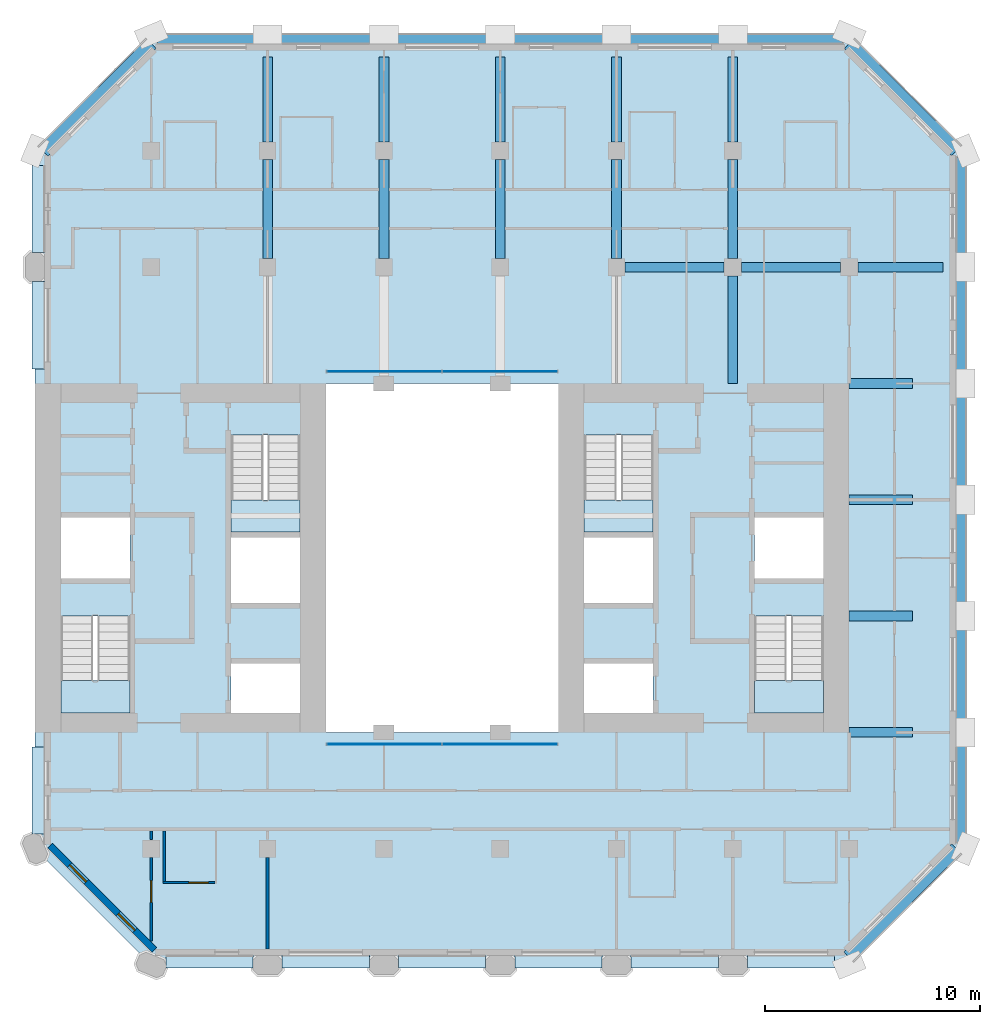
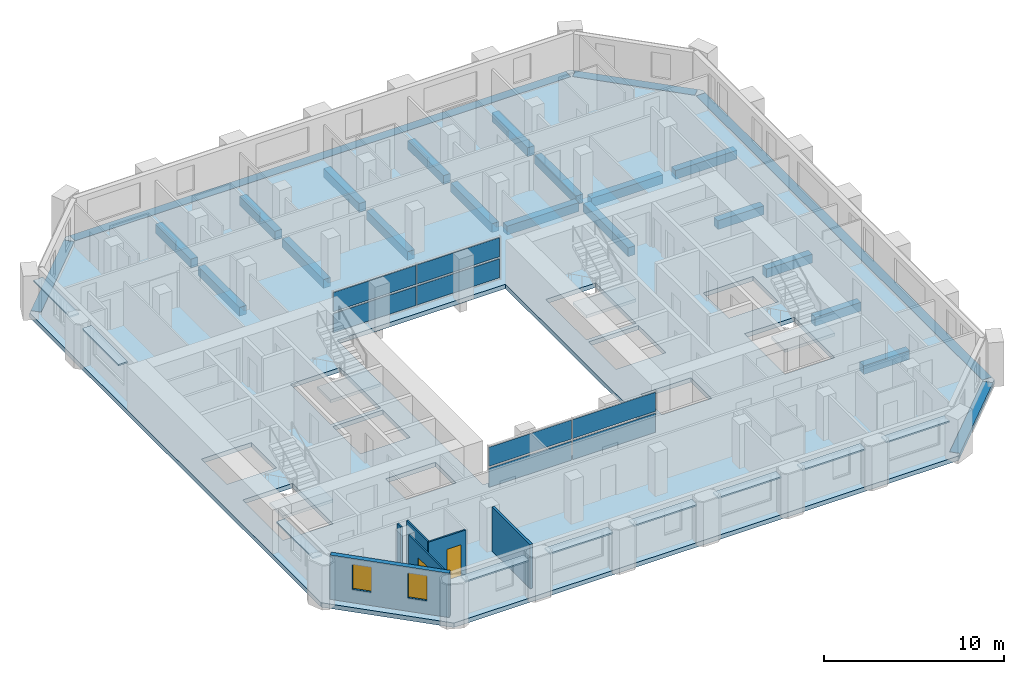
# One storey, part 3 of 12: 23 beams, 17 plates, 6 walls, 5 slabs, 2 doors, 2 windows, 4 openings, 6 elements without a shape of their own.
"""IFC4 building model written with IfcOpenShell, lengths in metres."""

from ifc_helpers import new_model, si_unit, direction, frame, frame_2d, origin, origin_2d, place, context, subcontext, project, spatial, polyline, rectangle, outline, extrude, material, layer, layer_set, material_profile, profile_set, type_object, element, fill, aggregate, save


model = new_model("IFC4")

# Units and contexts
model_context = context("Model", 3, precision=1e-05, world=origin(), true_north=direction((0.0, 1.0)))
body_context = subcontext(model_context, "Body", "Model", "MODEL_VIEW")
ifc_project = project(units=[si_unit("LENGTHUNIT", "METRE"), si_unit("AREAUNIT", "SQUARE_METRE"), si_unit("VOLUMEUNIT", "CUBIC_METRE"), si_unit("PLANEANGLEUNIT", "RADIAN"), si_unit("MASSUNIT", "GRAM", prefix="KILO")], contexts=[model_context])

# Site, building, storey
site_placement = place(None, origin())
site = spatial("IfcSite", under=ifc_project, at=site_placement, CompositionType="ELEMENT")
building_placement = place(site_placement, origin())
building = spatial("IfcBuilding", under=site, at=building_placement, Name="Tabaq Tower and Sports Hall", CompositionType="ELEMENT")
storey_placement = place(building_placement, frame((0.0, 0.0, 190.60009765625)))
storey = spatial("IfcBuildingStorey", under=building, at=storey_placement, Name="L46", CompositionType="ELEMENT", Elevation=190.60009765625)

# Beams
ifc_material_1 = material(Name="Concrete C40/50", Category="concrete")
ifc_material_profile_1 = material_profile(ifc_material_1, rectangle(XDim=0.449951171875, YDim=0.60009765625, at=origin_2d()), Name="CB 450x600")
ifc_profile_set_1 = profile_set([ifc_material_profile_1], Name="Concrete C40/50")
beam_type_1 = type_object("IfcBeamType", Name="PT CANTILEVER BEAM CB 450x600 C40/50", PredefinedType="BEAM", material=ifc_profile_set_1)
for number, where, z_axis, x_axis, name in (
    (1, (46.14990234375, 16.199951171875, -0.60009765625), (-1.0, 0.0, 0.0), (0.0, -1.0, 0.0), "Cantilever Beam L46 E3 span 1"),
    (2, (46.14990234375, 21.60009765625, -0.60009765625), (-1.0, 0.0, 0.0), (0.0, -1.0, 0.0), "Cantilever Beam L46 E4 span 1"),
    (3, (46.14990234375, 27.0, -0.60009765625), (-1.0, 0.0, 0.0), (0.0, -1.0, 0.0), "Cantilever Beam L46 E5 span 1"),
    (4, (46.14990234375, 32.39990234375, -0.60009765625), (-1.0, 0.0, 0.0), (0.0, -1.0, 0.0), "Cantilever Beam L46 E6 span 1"),
):
    element("IfcBeam", number, at=place(storey_placement, frame(where, z_axis=z_axis, x_axis=x_axis)), inside=storey, type_object=beam_type_1, Name=name, PredefinedType="BEAM", context=body_context, shape_type="SweptSolid", body=[
        extrude(rectangle(XDim=0.449951171875, YDim=0.60009765625, at=origin_2d()), origin(), (0.0, 0.0, 1.0), 2.949951171875),
    ])
beam_1_placement = place(storey_placement, frame((47.550048828125, 37.800048828125, -0.60009765625), z_axis=(-1.0, 0.0, 0.0), x_axis=(0.0, -1.0, 0.0)))
element("IfcBeam", 5, at=beam_1_placement, inside=storey, type_object=beam_type_1, Name="Cantilever Beam L46 E7 span 1", PredefinedType="BEAM", context=body_context, shape_type="SweptSolid", body=[
    extrude(rectangle(XDim=0.449951171875, YDim=0.60009765625, at=origin_2d()), origin(), (0.0, 0.0, 1.0), 3.949951171875),
])
beam_2_placement = place(storey_placement, frame((42.800048828125, 37.800048828125, -0.60009765625), z_axis=(-1.0, 0.0, 0.0), x_axis=(0.0, -1.0, 0.0)))
element("IfcBeam", 6, at=beam_2_placement, inside=storey, type_object=beam_type_1, Name="Cantilever Beam L46 E7 span 2", PredefinedType="BEAM", context=body_context, shape_type="SweptSolid", body=[
    extrude(rectangle(XDim=0.449951171875, YDim=0.60009765625, at=origin_2d()), origin(), (0.0, 0.0, 1.0), 4.60009765625),
])
beam_3_placement = place(storey_placement, frame((37.39990234375, 37.800048828125, -0.60009765625), z_axis=(-1.0, 0.0, 0.0), x_axis=(0.0, -1.0, 0.0)))
element("IfcBeam", 7, at=beam_3_placement, inside=storey, type_object=beam_type_1, Name="Cantilever Beam L46 E7 span 3", PredefinedType="BEAM", context=body_context, shape_type="SweptSolid", body=[
    extrude(rectangle(XDim=0.449951171875, YDim=0.60009765625, at=origin_2d()), origin(), (0.0, 0.0, 1.0), 4.599853515625),
])
beam_4_placement = place(storey_placement, frame((16.199951171875, 47.550048828125, -0.60009765625), z_axis=(0.0, -1.0, 0.0), x_axis=(1.0, 0.0, 0.0)))
element("IfcBeam", 8, at=beam_4_placement, inside=storey, type_object=beam_type_1, Name="Cantilever Beam L46 N3 span 1", PredefinedType="BEAM", context=body_context, shape_type="SweptSolid", body=[
    extrude(rectangle(XDim=0.449951171875, YDim=0.60009765625, at=origin_2d()), origin(), (0.0, 0.0, 1.0), 3.949951171875),
])
beam_5_placement = place(storey_placement, frame((16.199951171875, 42.800048828125, -0.60009765625), z_axis=(0.0, -1.0, 0.0), x_axis=(1.0, 0.0, 0.0)))
element("IfcBeam", 9, at=beam_5_placement, inside=storey, type_object=beam_type_1, Name="Cantilever Beam L46 N3 span 2", PredefinedType="BEAM", context=body_context, shape_type="SweptSolid", body=[
    extrude(rectangle(XDim=0.449951171875, YDim=0.60009765625, at=origin_2d()), origin(), (0.0, 0.0, 1.0), 4.60009765625),
])
beam_6_placement = place(storey_placement, frame((21.60009765625, 47.550048828125, -0.60009765625), z_axis=(0.0, -1.0, 0.0), x_axis=(1.0, 0.0, 0.0)))
element("IfcBeam", 10, at=beam_6_placement, inside=storey, type_object=beam_type_1, Name="Cantilever Beam L46 N4 span 1", PredefinedType="BEAM", context=body_context, shape_type="SweptSolid", body=[
    extrude(rectangle(XDim=0.449951171875, YDim=0.60009765625, at=origin_2d()), origin(), (0.0, 0.0, 1.0), 3.949951171875),
])
beam_7_placement = place(storey_placement, frame((21.60009765625, 42.800048828125, -0.60009765625), z_axis=(0.0, -1.0, 0.0), x_axis=(1.0, 0.0, 0.0)))
element("IfcBeam", 11, at=beam_7_placement, inside=storey, type_object=beam_type_1, Name="Cantilever Beam L46 N4 span 2", PredefinedType="BEAM", context=body_context, shape_type="SweptSolid", body=[
    extrude(rectangle(XDim=0.449951171875, YDim=0.60009765625, at=origin_2d()), origin(), (0.0, 0.0, 1.0), 4.60009765625),
])
beam_8_placement = place(storey_placement, frame((27.0, 47.550048828125, -0.60009765625), z_axis=(0.0, -1.0, 0.0), x_axis=(1.0, 0.0, 0.0)))
element("IfcBeam", 12, at=beam_8_placement, inside=storey, type_object=beam_type_1, Name="Cantilever Beam L46 N5 span 1", PredefinedType="BEAM", context=body_context, shape_type="SweptSolid", body=[
    extrude(rectangle(XDim=0.449951171875, YDim=0.60009765625, at=origin_2d()), origin(), (0.0, 0.0, 1.0), 3.949951171875),
])
beam_9_placement = place(storey_placement, frame((27.0, 42.800048828125, -0.60009765625), z_axis=(0.0, -1.0, 0.0), x_axis=(1.0, 0.0, 0.0)))
element("IfcBeam", 13, at=beam_9_placement, inside=storey, type_object=beam_type_1, Name="Cantilever Beam L46 N5 span 2", PredefinedType="BEAM", context=body_context, shape_type="SweptSolid", body=[
    extrude(rectangle(XDim=0.449951171875, YDim=0.60009765625, at=origin_2d()), origin(), (0.0, 0.0, 1.0), 4.60009765625),
])
beam_10_placement = place(storey_placement, frame((32.39990234375, 47.550048828125, -0.60009765625), z_axis=(0.0, -1.0, 0.0), x_axis=(1.0, 0.0, 0.0)))
element("IfcBeam", 14, at=beam_10_placement, inside=storey, type_object=beam_type_1, Name="Cantilever Beam L46 N6 span 1", PredefinedType="BEAM", context=body_context, shape_type="SweptSolid", body=[
    extrude(rectangle(XDim=0.449951171875, YDim=0.60009765625, at=origin_2d()), origin(), (0.0, 0.0, 1.0), 3.949951171875),
])
beam_11_placement = place(storey_placement, frame((32.39990234375, 42.800048828125, -0.60009765625), z_axis=(0.0, -1.0, 0.0), x_axis=(1.0, 0.0, 0.0)))
element("IfcBeam", 15, at=beam_11_placement, inside=storey, type_object=beam_type_1, Name="Cantilever Beam L46 N6 span 2", PredefinedType="BEAM", context=body_context, shape_type="SweptSolid", body=[
    extrude(rectangle(XDim=0.449951171875, YDim=0.60009765625, at=origin_2d()), origin(), (0.0, 0.0, 1.0), 4.60009765625),
])
beam_12_placement = place(storey_placement, frame((37.800048828125, 47.550048828125, -0.60009765625), z_axis=(0.0, -1.0, 0.0), x_axis=(1.0, 0.0, 0.0)))
element("IfcBeam", 16, at=beam_12_placement, inside=storey, type_object=beam_type_1, Name="Cantilever Beam L46 N7 span 1", PredefinedType="BEAM", context=body_context, shape_type="SweptSolid", body=[
    extrude(rectangle(XDim=0.449951171875, YDim=0.60009765625, at=origin_2d()), origin(), (0.0, 0.0, 1.0), 3.949951171875),
])
beam_13_placement = place(storey_placement, frame((37.800048828125, 42.800048828125, -0.60009765625), z_axis=(0.0, -1.0, 0.0), x_axis=(1.0, 0.0, 0.0)))
element("IfcBeam", 17, at=beam_13_placement, inside=storey, type_object=beam_type_1, Name="Cantilever Beam L46 N7 span 2", PredefinedType="BEAM", context=body_context, shape_type="SweptSolid", body=[
    extrude(rectangle(XDim=0.449951171875, YDim=0.60009765625, at=origin_2d()), origin(), (0.0, 0.0, 1.0), 4.60009765625),
])
beam_14_placement = place(storey_placement, frame((37.800048828125, 37.39990234375, -0.60009765625), z_axis=(0.0, -1.0, 0.0), x_axis=(1.0, 0.0, 0.0)))
element("IfcBeam", 18, at=beam_14_placement, inside=storey, type_object=beam_type_1, Name="Cantilever Beam L46 N7 span 3", PredefinedType="BEAM", context=body_context, shape_type="SweptSolid", body=[
    extrude(rectangle(XDim=0.449951171875, YDim=0.60009765625, at=origin_2d()), origin(), (0.0, 0.0, 1.0), 5.0),
])
ifc_material_2 = material(Name="Concrete C40/50", Category="concrete")
ifc_material_profile_2 = material_profile(ifc_material_2, rectangle(XDim=0.60009765625, YDim=0.300048828125, at=origin_2d()), Name="EB 600x300")
ifc_profile_set_2 = profile_set([ifc_material_profile_2], Name="Concrete C40/50")
beam_type_2 = type_object("IfcBeamType", Name="PT EDGE BEAM EB 600x300 C40/50", PredefinedType="SPANDREL", material=ifc_profile_set_2)
beam_15_placement = place(storey_placement, frame((43.16455078125, 5.788818359375, -0.150146484375), z_axis=(0.707106781187, 0.707106781187, 0.0), x_axis=(-0.707106781187, 0.707106781187, 0.0)))
element("IfcBeam", 19, at=beam_15_placement, inside=storey, type_object=beam_type_2, Name="Edge Beam L46 1", PredefinedType="SPANDREL", context=body_context, shape_type="SweptSolid", body=[
    extrude(rectangle(XDim=0.60009765625, YDim=0.300048828125, at=origin_2d()), origin(), (0.0, 0.0, 1.0), 7.08837890625),
])
beam_16_placement = place(storey_placement, frame((48.300048828125, 11.0986328125, -0.150146484375), z_axis=(0.0, 1.0, 0.0), x_axis=(-1.0, 0.0, 0.0)))
element("IfcBeam", 20, at=beam_16_placement, inside=storey, type_object=beam_type_2, Name="Edge Beam L46 2", PredefinedType="SPANDREL", context=body_context, shape_type="SweptSolid", body=[
    extrude(rectangle(XDim=0.60009765625, YDim=0.300048828125, at=origin_2d()), origin(), (0.0, 0.0, 1.0), 31.802734375),
])
beam_17_placement = place(storey_placement, frame((48.1767578125, 43.198974609375, -0.150146484375), z_axis=(-0.707106781187, 0.707106781187, 0.0), x_axis=(-0.707106781187, -0.707106781187, 0.0)))
element("IfcBeam", 21, at=beam_17_placement, inside=storey, type_object=beam_type_2, Name="Edge Beam L46 3", PredefinedType="SPANDREL", context=body_context, shape_type="SweptSolid", body=[
    extrude(rectangle(XDim=0.60009765625, YDim=0.300048828125, at=origin_2d()), origin(), (0.0, 0.0, 1.0), 7.03955078125),
])
beam_18_placement = place(storey_placement, frame((42.9013671875, 48.300048828125, -0.150146484375), z_axis=(-1.0, 0.0, 0.0), x_axis=(0.0, -1.0, 0.0)))
element("IfcBeam", 22, at=beam_18_placement, inside=storey, type_object=beam_type_2, Name="Edge Beam L46 4", PredefinedType="SPANDREL", context=body_context, shape_type="SweptSolid", body=[
    extrude(rectangle(XDim=0.60009765625, YDim=0.300048828125, at=origin_2d()), origin(), (0.0, 0.0, 1.0), 31.802734375),
])
beam_19_placement = place(storey_placement, frame((10.801025390625, 48.1767578125, -0.150146484375), z_axis=(-0.707106781187, -0.707106781187, 0.0), x_axis=(0.707106781187, -0.707106781187, 0.0)))
element("IfcBeam", 23, at=beam_19_placement, inside=storey, type_object=beam_type_2, Name="Edge Beam L46 5", PredefinedType="SPANDREL", context=body_context, shape_type="SweptSolid", body=[
    extrude(rectangle(XDim=0.60009765625, YDim=0.300048828125, at=origin_2d()), origin(), (0.0, 0.0, 1.0), 7.08837890625),
])

# Curtain wall, plates
ifc_material_3 = material(Name="Aluminium alloy 6063-T6 framed glazing", Category="aluminium")
curtain_wall_type = type_object("IfcCurtainWallType", Name="CW1 curtain wall", PredefinedType="USERDEFINED", material=ifc_material_3)
curtain_wall_1_placement = place(storey_placement, origin())
curtain_wall_1 = element("IfcCurtainWall", 24, at=curtain_wall_1_placement, inside=storey, type_object=curtain_wall_type, Name="Atrium glazing L46 S", ObjectType="ATRIUM ENCLOSURE", PredefinedType="USERDEFINED")
ifc_material_4 = material(Name="Clear low-emissivity glass 28 mm", Category="glass")
ifc_layer_1 = layer(ifc_material_4, 0.028076171875)
ifc_layer_set_1 = layer_set([ifc_layer_1], Name="CW1 glass panel 28")
plate_type_1 = type_object("IfcPlateType", Name="CW1 glass panel 28", PredefinedType="CURTAIN_PANEL", material=ifc_layer_set_1)
plate_1_placement = place(storey_placement, frame((21.614990234375, 15.64990234375, 0.139892578125), z_axis=(0.0, 0.0, 1.0), x_axis=(1.0, 0.0, 0.0)))
plate_1 = element("IfcPlate", 25, at=plate_1_placement, type_object=plate_type_1, Name="CW1 panel 1.1", PredefinedType="CURTAIN_PANEL", context=body_context, shape_type="SweptSolid", body=[
    extrude(rectangle(XDim=5.31005859375, YDim=0.028076171875, at=origin_2d()), origin(), (0.0, 0.0, 1.0), 1.2900390625),
])
plate_2_placement = place(storey_placement, frame((21.614990234375, 15.64990234375, 1.56982421875), z_axis=(0.0, 0.0, 1.0), x_axis=(1.0, 0.0, 0.0)))
plate_2 = element("IfcPlate", 26, at=plate_2_placement, type_object=plate_type_1, Name="CW1 panel 1.2", PredefinedType="CURTAIN_PANEL", context=body_context, shape_type="SweptSolid", body=[
    extrude(rectangle(XDim=5.31005859375, YDim=0.028076171875, at=origin_2d()), origin(), (0.0, 0.0, 1.0), 1.2900390625),
])
plate_3_placement = place(storey_placement, frame((26.985107421875, 15.64990234375, 0.139892578125), z_axis=(0.0, 0.0, 1.0), x_axis=(1.0, 0.0, 0.0)))
plate_3 = element("IfcPlate", 27, at=plate_3_placement, type_object=plate_type_1, Name="CW1 panel 2.1", PredefinedType="CURTAIN_PANEL", context=body_context, shape_type="SweptSolid", body=[
    extrude(rectangle(XDim=5.31005859375, YDim=0.028076171875, at=origin_2d()), origin(), (0.0, 0.0, 1.0), 1.2900390625),
])
plate_4_placement = place(storey_placement, frame((26.985107421875, 15.64990234375, 1.56982421875), z_axis=(0.0, 0.0, 1.0), x_axis=(1.0, 0.0, 0.0)))
plate_4 = element("IfcPlate", 28, at=plate_4_placement, type_object=plate_type_1, Name="CW1 panel 2.2", PredefinedType="CURTAIN_PANEL", context=body_context, shape_type="SweptSolid", body=[
    extrude(rectangle(XDim=5.31005859375, YDim=0.028076171875, at=origin_2d()), origin(), (0.0, 0.0, 1.0), 1.2900390625),
])
aggregate(curtain_wall_1, [plate_1, plate_2, plate_3, plate_4])

curtain_wall_2_placement = place(storey_placement, origin())
curtain_wall_2 = element("IfcCurtainWall", 29, at=curtain_wall_2_placement, inside=storey, type_object=curtain_wall_type, Name="Atrium glazing L46 N", ObjectType="ATRIUM ENCLOSURE", PredefinedType="USERDEFINED")
plate_5_placement = place(storey_placement, frame((21.614990234375, 32.949951171875, 0.139892578125), z_axis=(0.0, 0.0, 1.0), x_axis=(1.0, 0.0, 0.0)))
plate_5 = element("IfcPlate", 30, at=plate_5_placement, type_object=plate_type_1, Name="CW1 panel 1.1", PredefinedType="CURTAIN_PANEL", context=body_context, shape_type="SweptSolid", body=[
    extrude(rectangle(XDim=5.31005859375, YDim=0.028076171875, at=origin_2d()), origin(), (0.0, 0.0, 1.0), 1.2900390625),
])
plate_6_placement = place(storey_placement, frame((21.614990234375, 32.949951171875, 1.56982421875), z_axis=(0.0, 0.0, 1.0), x_axis=(1.0, 0.0, 0.0)))
plate_6 = element("IfcPlate", 31, at=plate_6_placement, type_object=plate_type_1, Name="CW1 panel 1.2", PredefinedType="CURTAIN_PANEL", context=body_context, shape_type="SweptSolid", body=[
    extrude(rectangle(XDim=5.31005859375, YDim=0.028076171875, at=origin_2d()), origin(), (0.0, 0.0, 1.0), 1.2900390625),
])
plate_7_placement = place(storey_placement, frame((26.985107421875, 32.949951171875, 0.139892578125), z_axis=(0.0, 0.0, 1.0), x_axis=(1.0, 0.0, 0.0)))
plate_7 = element("IfcPlate", 32, at=plate_7_placement, type_object=plate_type_1, Name="CW1 panel 2.1", PredefinedType="CURTAIN_PANEL", context=body_context, shape_type="SweptSolid", body=[
    extrude(rectangle(XDim=5.31005859375, YDim=0.028076171875, at=origin_2d()), origin(), (0.0, 0.0, 1.0), 1.2900390625),
])
plate_8_placement = place(storey_placement, frame((26.985107421875, 32.949951171875, 1.56982421875), z_axis=(0.0, 0.0, 1.0), x_axis=(1.0, 0.0, 0.0)))
plate_8 = element("IfcPlate", 33, at=plate_8_placement, type_object=plate_type_1, Name="CW1 panel 2.2", PredefinedType="CURTAIN_PANEL", context=body_context, shape_type="SweptSolid", body=[
    extrude(rectangle(XDim=5.31005859375, YDim=0.028076171875, at=origin_2d()), origin(), (0.0, 0.0, 1.0), 1.2900390625),
])
aggregate(curtain_wall_2, [plate_5, plate_6, plate_7, plate_8])

# Stair, slab
ifc_material_5 = material(Name="Concrete C40/50", Category="concrete")
stair_type = type_object("IfcStairType", Name="Exit stair", PredefinedType="HALF_TURN_STAIR", material=ifc_material_5)
stair_1_placement = place(storey_placement, origin())
stair_1 = element("IfcStair", 34, at=stair_1_placement, inside=storey, type_object=stair_type, Name="L46 Exit stair ST1", PredefinedType="HALF_TURN_STAIR")
ifc_material_6 = material(Name="Concrete C40/50", Category="concrete")
ifc_layer_2 = layer(ifc_material_6, 0.199951171875)
ifc_layer_set_2 = layer_set([ifc_layer_2], Name="Exit stair landing")
slab_type_1 = type_object("IfcSlabType", Name="Exit stair landing", PredefinedType="LANDING", material=ifc_layer_set_2)
slab_1_placement = place(storey_placement, frame((0.0, 0.0, 1.449951171875)))
slab_1 = element("IfcSlab", 35, at=slab_1_placement, type_object=slab_type_1, Name="ST1 landing 1", PredefinedType="LANDING", context=body_context, shape_type="SweptSolid", body=[
    extrude(outline(polyline([(6.60009765625, 18.60009765625), (6.60009765625, 17.10009765625), (9.800048828125, 17.10009765625), (9.800048828125, 18.60009765625), (6.60009765625, 18.60009765625)])), origin(), (0.0, 0.0, 1.0), 0.199951171875),
])
aggregate(stair_1, [slab_1])

stair_2_placement = place(storey_placement, origin())
stair_2 = element("IfcStair", 36, at=stair_2_placement, inside=storey, type_object=stair_type, Name="L46 Exit stair ST2", PredefinedType="HALF_TURN_STAIR")
slab_2_placement = place(storey_placement, frame((0.0, 0.0, 1.449951171875)))
slab_2 = element("IfcSlab", 37, at=slab_2_placement, type_object=slab_type_1, Name="ST2 landing 1", PredefinedType="LANDING", context=body_context, shape_type="SweptSolid", body=[
    extrude(outline(polyline([(14.5, 27.0), (14.5, 25.5), (17.699951171875, 25.5), (17.699951171875, 27.0), (14.5, 27.0)])), origin(), (0.0, 0.0, 1.0), 0.199951171875),
])
aggregate(stair_2, [slab_2])

stair_3_placement = place(storey_placement, origin())
stair_3 = element("IfcStair", 38, at=stair_3_placement, inside=storey, type_object=stair_type, Name="L46 Exit stair ST3", PredefinedType="HALF_TURN_STAIR")
slab_3_placement = place(storey_placement, frame((0.0, 0.0, 1.449951171875)))
slab_3 = element("IfcSlab", 39, at=slab_3_placement, type_object=slab_type_1, Name="ST3 landing 1", PredefinedType="LANDING", context=body_context, shape_type="SweptSolid", body=[
    extrude(outline(polyline([(38.800048828125, 18.60009765625), (38.800048828125, 17.10009765625), (42.0, 17.10009765625), (42.0, 18.60009765625), (38.800048828125, 18.60009765625)])), origin(), (0.0, 0.0, 1.0), 0.199951171875),
])
aggregate(stair_3, [slab_3])

stair_4_placement = place(storey_placement, origin())
stair_4 = element("IfcStair", 40, at=stair_4_placement, inside=storey, type_object=stair_type, Name="L46 Exit stair ST4", PredefinedType="HALF_TURN_STAIR")
slab_4_placement = place(storey_placement, frame((0.0, 0.0, 1.449951171875)))
slab_4 = element("IfcSlab", 41, at=slab_4_placement, type_object=slab_type_1, Name="ST4 landing 1", PredefinedType="LANDING", context=body_context, shape_type="SweptSolid", body=[
    extrude(outline(polyline([(30.89990234375, 27.0), (30.89990234375, 25.5), (34.10009765625, 25.5), (34.10009765625, 27.0), (30.89990234375, 27.0)])), origin(), (0.0, 0.0, 1.0), 0.199951171875),
])
aggregate(stair_4, [slab_4])

# Slab
ifc_material_7 = material(Name="Concrete C40/50", Category="concrete")
ifc_layer_3 = layer(ifc_material_7, 0.300048828125)
ifc_layer_set_3 = layer_set([ifc_layer_3], Name="PT FLOOR SLAB 300 C40/50")
slab_type_2 = type_object("IfcSlabType", Name="PT FLOOR SLAB 300 C40/50", PredefinedType="FLOOR", material=ifc_layer_set_3)
slab_5_placement = place(storey_placement, frame((0.0, 0.0, -0.300048828125)))
element("IfcSlab", 42, at=slab_5_placement, inside=storey, type_object=slab_type_2, Name="Floor Slab L46", PredefinedType="FLOOR", context=body_context, shape_type="SweptSolid", body=[
    extrude(outline(polyline([(5.39990234375, 43.199951171875), (5.39990234375, 10.800048828125), (10.800048828125, 5.39990234375), (43.199951171875, 5.39990234375), (43.376708984375, 5.57666015625), (42.952392578125, 6.0009765625), (47.964599609375, 11.01318359375), (48.035400390625, 10.9423828125), (48.388916015625, 10.5888671875), (48.60009765625, 10.800048828125), (48.60009765625, 11.0986328125), (48.10009765625, 11.0986328125), (48.0, 11.0986328125), (48.0, 42.9013671875), (48.10009765625, 42.9013671875), (48.60009765625, 42.9013671875), (48.60009765625, 43.199951171875), (48.388916015625, 43.4111328125), (48.035400390625, 43.0576171875), (47.964599609375, 42.98681640625), (42.98681640625, 47.964599609375), (43.0576171875, 48.035400390625), (43.4111328125, 48.388916015625), (43.199951171875, 48.60009765625), (42.9013671875, 48.60009765625), (42.9013671875, 48.10009765625), (42.9013671875, 48.0), (11.0986328125, 48.0), (11.0986328125, 48.10009765625), (11.0986328125, 48.60009765625), (10.800048828125, 48.60009765625), (10.5888671875, 48.388916015625), (10.9423828125, 48.035400390625), (11.01318359375, 47.964599609375), (6.0009765625, 42.952392578125), (5.57666015625, 43.376708984375), (5.39990234375, 43.199951171875)]), holes=[polyline([(14.5, 19.39990234375), (17.699951171875, 19.39990234375), (17.699951171875, 17.10009765625), (14.5, 17.10009765625), (14.5, 19.39990234375)]), polyline([(6.60009765625, 21.599365234375), (9.800048828125, 21.599365234375), (9.800048828125, 17.10009765625), (6.60009765625, 17.10009765625), (6.60009765625, 21.599365234375)]), polyline([(14.5, 25.25), (17.699951171875, 25.25), (17.699951171875, 22.199951171875), (14.5, 22.199951171875), (14.5, 25.25)]), polyline([(18.89990234375, 32.39990234375), (29.699951171875, 32.39990234375), (29.699951171875, 16.199951171875), (18.89990234375, 16.199951171875), (18.89990234375, 32.39990234375)]), polyline([(9.800048828125, 26.175048828125), (9.800048828125, 23.35009765625), (6.60009765625, 23.35009765625), (6.60009765625, 26.175048828125), (9.800048828125, 26.175048828125)]), polyline([(14.5, 29.99951171875), (17.699951171875, 29.99951171875), (17.699951171875, 25.5), (14.5, 25.5), (14.5, 29.99951171875)]), polyline([(34.10009765625, 19.39990234375), (34.10009765625, 17.10009765625), (30.89990234375, 17.10009765625), (30.89990234375, 19.39990234375), (34.10009765625, 19.39990234375)]), polyline([(42.0, 21.599365234375), (42.0, 17.10009765625), (38.800048828125, 17.10009765625), (38.800048828125, 21.599365234375), (42.0, 21.599365234375)]), polyline([(30.89990234375, 25.25), (34.10009765625, 25.25), (34.10009765625, 22.199951171875), (30.89990234375, 22.199951171875), (30.89990234375, 25.25)]), polyline([(42.0, 26.175048828125), (42.0, 23.35009765625), (38.800048828125, 23.35009765625), (38.800048828125, 26.175048828125), (42.0, 26.175048828125)]), polyline([(34.10009765625, 29.99951171875), (34.10009765625, 25.5), (30.89990234375, 25.5), (30.89990234375, 29.99951171875), (34.10009765625, 29.99951171875)])]), origin(), (0.0, 0.0, 1.0), 0.300048828125),
])

# Plates
ifc_material_8 = material(Name="White precast concrete C60/75 blade", Category="concrete")
ifc_layer_4 = layer(ifc_material_8, 0.10009765625)
ifc_layer_set_4 = layer_set([ifc_layer_4], Name="White precast concrete C60/75 sunshade 100")
plate_type_2 = type_object("IfcPlateType", Name="White precast concrete C60/75 sunshade 100", PredefinedType="USERDEFINED", material=ifc_layer_set_4)
for number, where, z_axis, x_axis, name in (
    (43, (13.5, 5.550048828125, 2.599853515625), (0.0, 0.0, 1.0), (1.0, 0.0, 0.0), "Sunshade L46 S"),
    (44, (18.89990234375, 5.550048828125, 2.599853515625), (0.0, 0.0, 1.0), (1.0, 0.0, 0.0), "Sunshade L46 S"),
    (45, (24.300048828125, 5.550048828125, 2.599853515625), (0.0, 0.0, 1.0), (1.0, 0.0, 0.0), "Sunshade L46 S"),
    (46, (29.699951171875, 5.550048828125, 2.599853515625), (0.0, 0.0, 1.0), (1.0, 0.0, 0.0), "Sunshade L46 S"),
    (47, (35.10009765625, 5.550048828125, 2.599853515625), (0.0, 0.0, 1.0), (1.0, 0.0, 0.0), "Sunshade L46 S"),
    (48, (40.5, 5.550048828125, 2.599853515625), (0.0, 0.0, 1.0), (1.0, 0.0, 0.0), "Sunshade L46 S"),
    (49, (5.550048828125, 40.5, 2.599853515625), (0.0, 0.0, 1.0), (0.0, -1.0, 0.0), "Sunshade L46 W"),
    (50, (5.550048828125, 35.10009765625, 2.599853515625), (0.0, 0.0, 1.0), (0.0, -1.0, 0.0), "Sunshade L46 W"),
    (51, (5.550048828125, 13.5, 2.599853515625), (0.0, 0.0, 1.0), (0.0, -1.0, 0.0), "Sunshade L46 W"),
):
    element("IfcPlate", number, at=place(storey_placement, frame(where, z_axis=z_axis, x_axis=x_axis)), inside=storey, type_object=plate_type_2, Name=name, ObjectType="SUNSHADE", PredefinedType="USERDEFINED", context=body_context, shape_type="SweptSolid", body=[
        extrude(rectangle(XDim=4.050048828125, YDim=0.60009765625, at=origin_2d()), origin(), (0.0, 0.0, 1.0), 0.10009765625),
    ])

# Wall, opening, door
ifc_material_9 = material(Name="Gypsum board on steel studs", Category="steel")
ifc_layer_5 = layer(ifc_material_9, 0.10009765625)
ifc_layer_set_5 = layer_set([ifc_layer_5], Name="Partition 100 Gypsum board")
wall_type_1 = type_object("IfcWallType", Name="Partition 100 Gypsum board", PredefinedType="PARTITIONING", material=ifc_layer_set_5)
wall_1_placement = place(storey_placement, frame((13.75, 9.22509765625, 0.0), z_axis=(0.0, 0.0, 1.0), x_axis=(-1.0, 0.0, 0.0)))
wall_1 = element("IfcWall", 52, at=wall_1_placement, inside=storey, type_object=wall_type_1, Name="Partition wall L46", PredefinedType="PARTITIONING", context=body_context, shape_type="SweptSolid", body=[
    extrude(rectangle(XDim=2.39990234375, YDim=0.10009765625, at=frame_2d((1.199951171875, 0.0))), origin(), (0.0, 0.0, 1.0), 3.0),
])
opening_1_placement = place(wall_1_placement, frame((0.300048828125, 0.0, 0.0)))
opening_1 = element("IfcOpeningElement", 53, at=opening_1_placement, cuts=wall_1, Name="Opening L46-014", PredefinedType="OPENING", context=body_context, shape_type="SweptSolid", body=[
    extrude(rectangle(XDim=0.89990234375, YDim=2.10009765625, at=frame_2d((0.449951171875, 1.050048828125))), frame((0.0, 0.050048828125, 0.0), z_axis=(0.0, -1.0, 0.0), x_axis=(1.0, 0.0, 0.0)), (0.0, 0.0, 1.0), 0.10009765625),
])
ifc_material_10 = material(Name="Timber leaf in steel frame", Category="steel")
door_type_1 = type_object("IfcDoorType", Name="Internal door 900 left hand", OperationType="SINGLE_SWING_LEFT", PredefinedType="DOOR", material=ifc_material_10)
door_1_placement = place(opening_1_placement, origin())
door_1 = element("IfcDoor", 54, at=door_1_placement, inside=storey, type_object=door_type_1, Name="Internal door L46-014", OperationType="SINGLE_SWING_LEFT", OverallHeight=2.10009765625, OverallWidth=0.89990234375, PredefinedType="DOOR", context=body_context, shape_type="SweptSolid", body=[
    extrude(rectangle(XDim=0.89990234375, YDim=2.10009765625, at=frame_2d((0.449951171875, 1.050048828125))), frame((0.0, 0.02490234375, 0.0), z_axis=(0.0, -1.0, 0.0), x_axis=(1.0, 0.0, 0.0)), (0.0, 0.0, 1.0), 0.050048828125),
])
fill(opening_1, door_1)

# Walls
wall_2_placement = place(storey_placement, frame((11.39990234375, 9.27490234375, 0.0), z_axis=(0.0, 0.0, 1.0), x_axis=(0.0, 1.0, 0.0)))
element("IfcWall", 55, at=wall_2_placement, inside=storey, type_object=wall_type_1, Name="Partition wall L46", PredefinedType="PARTITIONING", context=body_context, shape_type="SweptSolid", body=[
    extrude(rectangle(XDim=2.35009765625, YDim=0.10009765625, at=frame_2d((1.175048828125, 0.0))), origin(), (0.0, 0.0, 1.0), 3.0),
])
wall_3_placement = place(storey_placement, frame((10.800048828125, 11.625, 0.0), z_axis=(0.0, 0.0, 1.0), x_axis=(0.0, -1.0, 0.0)))
element("IfcWall", 56, at=wall_3_placement, inside=storey, type_object=wall_type_1, Name="Partition wall L46", PredefinedType="PARTITIONING", context=body_context, shape_type="SweptSolid", body=[
    extrude(rectangle(XDim=0.405029296875, YDim=0.10009765625, at=frame_2d((0.20263671875, 0.0))), origin(), (0.0, 0.0, 1.0), 3.0),
])

# Wall, opening, door
wall_4_placement = place(storey_placement, frame((10.800048828125, 10.3798828125, 0.0), z_axis=(0.0, 0.0, 1.0), x_axis=(0.0, -1.0, 0.0)))
wall_4 = element("IfcWall", 57, at=wall_4_placement, inside=storey, type_object=wall_type_1, Name="Partition wall L46", PredefinedType="PARTITIONING", context=body_context, shape_type="SweptSolid", body=[
    extrude(rectangle(XDim=3.86767578125, YDim=0.10009765625, at=frame_2d((1.933837890625, 0.0))), origin(), (0.0, 0.0, 1.0), 3.0),
])
opening_2_placement = place(wall_4_placement, frame((1.0673828125, 0.0, 0.0)))
opening_2 = element("IfcOpeningElement", 58, at=opening_2_placement, cuts=wall_4, Name="Opening L46-034", PredefinedType="OPENING", context=body_context, shape_type="SweptSolid", body=[
    extrude(rectangle(XDim=1.0, YDim=2.10009765625, at=frame_2d((0.5, 1.050048828125))), frame((0.0, 0.050048828125, 0.0), z_axis=(0.0, -1.0, 0.0), x_axis=(1.0, 0.0, 0.0)), (0.0, 0.0, 1.0), 0.10009765625),
])
ifc_material_11 = material(Name="Timber leaf in steel frame", Category="steel")
door_type_2 = type_object("IfcDoorType", Name="Internal door 1000 left hand", OperationType="SINGLE_SWING_LEFT", PredefinedType="DOOR", material=ifc_material_11)
door_2_placement = place(opening_2_placement, origin())
door_2 = element("IfcDoor", 59, at=door_2_placement, inside=storey, type_object=door_type_2, Name="Internal door L46-034", OperationType="SINGLE_SWING_LEFT", OverallHeight=2.10009765625, OverallWidth=1.0, PredefinedType="DOOR", context=body_context, shape_type="SweptSolid", body=[
    extrude(rectangle(XDim=1.0, YDim=2.10009765625, at=frame_2d((0.5, 1.050048828125))), frame((0.0, 0.02490234375, 0.0), z_axis=(0.0, -1.0, 0.0), x_axis=(1.0, 0.0, 0.0)), (0.0, 0.0, 1.0), 0.050048828125),
])
fill(opening_2, door_2)

# Wall
ifc_material_12 = material(Name="Blockwork", Category="masonry")
ifc_layer_6 = layer(ifc_material_12, 0.14990234375)
ifc_layer_set_6 = layer_set([ifc_layer_6], Name="Separating wall 150 Blockwork")
wall_type_2 = type_object("IfcWallType", Name="Separating wall 150 Blockwork", PredefinedType="PARTITIONING", material=ifc_layer_set_6)
wall_5_placement = place(storey_placement, frame((16.199951171875, 6.15087890625, 0.0), z_axis=(0.0, 0.0, 1.0), x_axis=(0.0, 1.0, 0.0)))
element("IfcWall", 60, at=wall_5_placement, inside=storey, type_object=wall_type_2, Name="Separating wall L46", PredefinedType="PARTITIONING", context=body_context, shape_type="SweptSolid", body=[
    extrude(rectangle(XDim=4.22900390625, YDim=0.14990234375, at=frame_2d((2.114501953125, 0.0))), origin(), (0.0, 0.0, 1.0), 3.0),
])

# Wall, openings, windows
ifc_material_13 = material(Name="White precast concrete C60/75", Category="concrete")
ifc_layer_7 = layer(ifc_material_13, 0.300048828125)
ifc_layer_set_7 = layer_set([ifc_layer_7], Name="White precast concrete C60/75 external wall 300")
wall_type_3 = type_object("IfcWallType", Name="White precast concrete C60/75 external wall 300", PredefinedType="SOLIDWALL", material=ifc_layer_set_7)
wall_6_placement = place(storey_placement, frame((6.098876953125, 10.949462890625, 0.0), z_axis=(0.0, 0.0, 1.0), x_axis=(0.707106781187, -0.707106781187, 0.0)))
wall_6 = element("IfcWall", 61, at=wall_6_placement, inside=storey, type_object=wall_type_3, Name="External Wall L46 SW", PredefinedType="SOLIDWALL", context=body_context, shape_type="SweptSolid", body=[
    extrude(rectangle(XDim=6.85986328125, YDim=0.300048828125, at=frame_2d((3.429931640625, 0.0))), origin(), (0.0, 0.0, 1.0), 3.0),
])
opening_3_placement = place(wall_6_placement, frame((1.27978515625, 0.0, 0.89990234375)))
opening_3 = element("IfcOpeningElement", 62, at=opening_3_placement, cuts=wall_6, Name="Opening W1B", PredefinedType="OPENING", context=body_context, shape_type="SweptSolid", body=[
    extrude(rectangle(XDim=1.10009765625, YDim=1.699951171875, at=frame_2d((0.550048828125, 0.85009765625))), frame((0.0, 0.16015625, 0.0), z_axis=(0.0, -1.0, 0.0), x_axis=(1.0, 0.0, 0.0)), (0.0, 0.0, 1.0), 0.320068359375),
])
opening_4_placement = place(wall_6_placement, frame((4.479736328125, 0.0, 0.89990234375)))
opening_4 = element("IfcOpeningElement", 63, at=opening_4_placement, cuts=wall_6, Name="Opening W1B", PredefinedType="OPENING", context=body_context, shape_type="SweptSolid", body=[
    extrude(rectangle(XDim=1.10009765625, YDim=1.699951171875, at=frame_2d((0.550048828125, 0.85009765625))), frame((0.0, 0.16015625, 0.0), z_axis=(0.0, -1.0, 0.0), x_axis=(1.0, 0.0, 0.0)), (0.0, 0.0, 1.0), 0.320068359375),
])
ifc_material_14 = material(Name="Aluminium framed clear glazing", Category="aluminium")
window_type = type_object("IfcWindowType", Name="Window W1B", PartitioningType="SINGLE_PANEL", PredefinedType="WINDOW", material=ifc_material_14)
window_1_placement = place(opening_3_placement, origin())
window_1 = element("IfcWindow", 64, at=window_1_placement, inside=storey, type_object=window_type, Name="Window W1B L46", OverallHeight=1.699951171875, OverallWidth=1.10009765625, PartitioningType="SINGLE_PANEL", PredefinedType="WINDOW", context=body_context, shape_type="SweptSolid", body=[
    extrude(rectangle(XDim=1.10009765625, YDim=1.699951171875, at=frame_2d((0.550048828125, 0.85009765625))), frame((0.0, 0.030029296875, 0.0), z_axis=(0.0, -1.0, 0.0), x_axis=(1.0, 0.0, 0.0)), (0.0, 0.0, 1.0), 0.06005859375),
])
fill(opening_3, window_1)
window_2_placement = place(opening_4_placement, origin())
window_2 = element("IfcWindow", 65, at=window_2_placement, inside=storey, type_object=window_type, Name="Window W1B L46", OverallHeight=1.699951171875, OverallWidth=1.10009765625, PartitioningType="SINGLE_PANEL", PredefinedType="WINDOW", context=body_context, shape_type="SweptSolid", body=[
    extrude(rectangle(XDim=1.10009765625, YDim=1.699951171875, at=frame_2d((0.550048828125, 0.85009765625))), frame((0.0, 0.030029296875, 0.0), z_axis=(0.0, -1.0, 0.0), x_axis=(1.0, 0.0, 0.0)), (0.0, 0.0, 1.0), 0.06005859375),
])
fill(opening_4, window_2)

save(model, "model.ifc")
